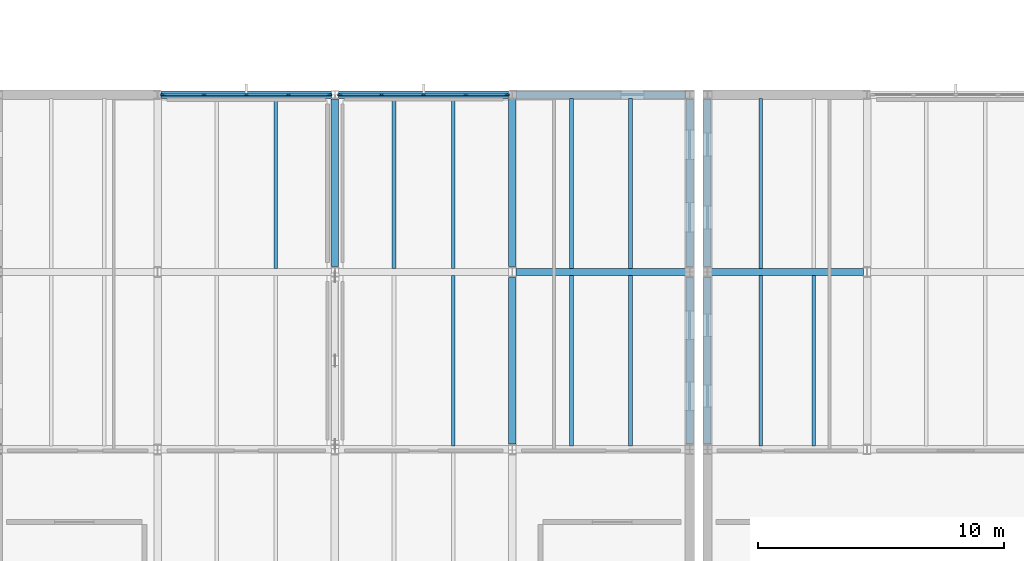
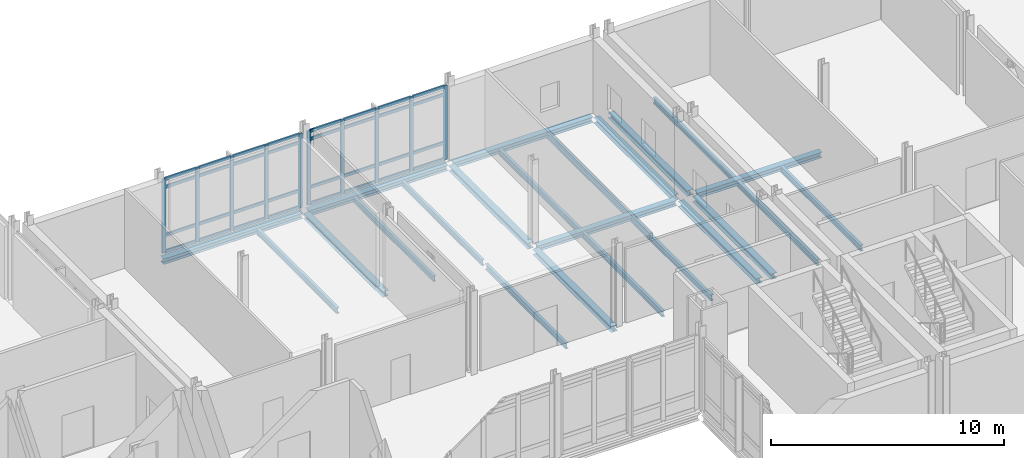
# One storey, part 16 of 76: 42 members, 23 beams, 2 elements without a shape of their own.
"""IFC4 building model written with IfcOpenShell, lengths in metres."""

from ifc_helpers import new_model, si_unit, direction, frame, origin, origin_2d, place, context, subcontext, project, spatial, rectangle, i_section, extrude, material, layer, layer_set, material_profile, profile_set, type_object, element, aggregate, save


model = new_model("IFC4")

# Units and contexts
model_context = context("Model", 3, precision=1e-05, world=origin(), true_north=direction((0.0, 1.0)))
body_context = subcontext(model_context, "Body", "Model", "MODEL_VIEW")
ifc_project = project(units=[si_unit("LENGTHUNIT", "METRE"), si_unit("AREAUNIT", "SQUARE_METRE"), si_unit("VOLUMEUNIT", "CUBIC_METRE"), si_unit("PLANEANGLEUNIT", "RADIAN"), si_unit("MASSUNIT", "GRAM", prefix="KILO")], contexts=[model_context])

# Site, building, storey
site_placement = place(None, origin())
site = spatial("IfcSite", under=ifc_project, at=site_placement, CompositionType="ELEMENT")
building_placement = place(site_placement, origin())
building = spatial("IfcBuilding", under=site, at=building_placement, Name="Zarrinpeak Specialist Clinic", CompositionType="ELEMENT")
storey_placement = place(building_placement, frame((0.0, 0.0, 5.199951171875)))
storey = spatial("IfcBuildingStorey", under=building, at=storey_placement, Name="L01", CompositionType="ELEMENT", Elevation=5.199951171875)

# Beams
ifc_material_1 = material(Name="Steel S355", Category="steel")
ifc_material_profile_1 = material_profile(ifc_material_1, i_section(OverallWidth=0.300048828125, OverallDepth=0.2900390625, WebThickness=0.008544921875, FlangeThickness=0.013916015625, FilletRadius=0.027099609375, at=origin_2d()), Name="HEA 300")
ifc_profile_set_1 = profile_set([ifc_material_profile_1], Name="Steel S355")
beam_type_1 = type_object("IfcBeamType", Name="BM-HEA300", PredefinedType="BEAM", material=ifc_profile_set_1)
beam_1_placement = place(storey_placement, frame((50.548095703125, 21.60009765625, -0.375), z_axis=(1.0, 0.0, 0.0), x_axis=(0.0, 1.0, 0.0)))
element("IfcBeam", 1, at=beam_1_placement, inside=storey, type_object=beam_type_1, Name="L01 Primary Floor Girder BM-L01-X0746", PredefinedType="BEAM", context=body_context, shape_type="SweptSolid", body=[
    extrude(i_section(OverallWidth=0.300048828125, OverallDepth=0.2900390625, WebThickness=0.008544921875, FlangeThickness=0.013916015625, FilletRadius=0.027099609375, at=origin_2d()), origin(), (0.0, 0.0, 1.0), 6.90380859375),
])
beam_2_placement = place(storey_placement, frame((58.468017578125, 21.60009765625, -0.375), z_axis=(1.0, 0.0, 0.0), x_axis=(0.0, 1.0, 0.0)))
element("IfcBeam", 2, at=beam_2_placement, inside=storey, type_object=beam_type_1, Name="L01 Primary Floor Girder BM-L01-X0747", PredefinedType="BEAM", context=body_context, shape_type="SweptSolid", body=[
    extrude(i_section(OverallWidth=0.300048828125, OverallDepth=0.2900390625, WebThickness=0.008544921875, FlangeThickness=0.013916015625, FilletRadius=0.027099609375, at=origin_2d()), origin(), (0.0, 0.0, 1.0), 6.18408203125),
])
for number, where, z_axis, x_axis, name in (
    (3, (36.14794921875, 28.800048828125, -0.375), (1.0, 0.0, 0.0), (0.0, 1.0, 0.0), "L01 Primary Floor Girder BM-L01-X0756"),
    (4, (43.347900390625, 28.800048828125, -0.375), (1.0, 0.0, 0.0), (0.0, 1.0, 0.0), "L01 Primary Floor Girder BM-L01-X0757"),
):
    element("IfcBeam", number, at=place(storey_placement, frame(where, z_axis=z_axis, x_axis=x_axis)), inside=storey, type_object=beam_type_1, Name=name, PredefinedType="BEAM", context=body_context, shape_type="SweptSolid", body=[
        extrude(i_section(OverallWidth=0.300048828125, OverallDepth=0.2900390625, WebThickness=0.008544921875, FlangeThickness=0.013916015625, FilletRadius=0.027099609375, at=origin_2d()), origin(), (0.0, 0.0, 1.0), 6.904052734375),
    ])
beam_3_placement = place(storey_placement, frame((50.548095703125, 28.800048828125, -0.375), z_axis=(1.0, 0.0, 0.0), x_axis=(0.0, 1.0, 0.0)))
element("IfcBeam", 5, at=beam_3_placement, inside=storey, type_object=beam_type_1, Name="L01 Primary Floor Girder BM-L01-X0758", PredefinedType="BEAM", context=body_context, shape_type="SweptSolid", body=[
    extrude(i_section(OverallWidth=0.300048828125, OverallDepth=0.2900390625, WebThickness=0.008544921875, FlangeThickness=0.013916015625, FilletRadius=0.027099609375, at=origin_2d()), origin(), (0.0, 0.0, 1.0), 6.90380859375),
])
beam_4_placement = place(storey_placement, frame((43.199951171875, 21.822998046875, -0.375), z_axis=(0.0, 1.0, 0.0), x_axis=(-1.0, 0.0, 0.0)))
element("IfcBeam", 6, at=beam_4_placement, inside=storey, type_object=beam_type_1, Name="L01 Primary Beam BM-L01-Y0892", PredefinedType="BEAM", context=body_context, shape_type="SweptSolid", body=[
    extrude(i_section(OverallWidth=0.300048828125, OverallDepth=0.2900390625, WebThickness=0.008544921875, FlangeThickness=0.013916015625, FilletRadius=0.027099609375, at=origin_2d()), origin(), (0.0, 0.0, 1.0), 6.799072265625),
])
beam_5_placement = place(storey_placement, frame((50.39990234375, 14.623046875, -0.375), z_axis=(0.0, 1.0, 0.0), x_axis=(-1.0, 0.0, 0.0)))
element("IfcBeam", 7, at=beam_5_placement, inside=storey, type_object=beam_type_1, Name="L01 Primary Beam BM-L01-Y0900", PredefinedType="BEAM", context=body_context, shape_type="SweptSolid", body=[
    extrude(i_section(OverallWidth=0.300048828125, OverallDepth=0.2900390625, WebThickness=0.008544921875, FlangeThickness=0.013916015625, FilletRadius=0.027099609375, at=origin_2d()), origin(), (0.0, 0.0, 1.0), 6.75390625),
])
beam_6_placement = place(storey_placement, frame((50.39990234375, 21.822998046875, -0.375), z_axis=(0.0, 1.0, 0.0), x_axis=(-1.0, 0.0, 0.0)))
element("IfcBeam", 8, at=beam_6_placement, inside=storey, type_object=beam_type_1, Name="L01 Primary Beam BM-L01-Y0901", PredefinedType="BEAM", context=body_context, shape_type="SweptSolid", body=[
    extrude(i_section(OverallWidth=0.300048828125, OverallDepth=0.2900390625, WebThickness=0.008544921875, FlangeThickness=0.013916015625, FilletRadius=0.027099609375, at=origin_2d()), origin(), (0.0, 0.0, 1.0), 6.799072265625),
])
beam_7_placement = place(storey_placement, frame((57.60009765625, 14.623046875, -0.375), z_axis=(0.0, 1.0, 0.0), x_axis=(-1.0, 0.0, 0.0)))
element("IfcBeam", 9, at=beam_7_placement, inside=storey, type_object=beam_type_1, Name="L01 Primary Beam BM-L01-Y0907", PredefinedType="BEAM", context=body_context, shape_type="SweptSolid", body=[
    extrude(i_section(OverallWidth=0.300048828125, OverallDepth=0.2900390625, WebThickness=0.008544921875, FlangeThickness=0.013916015625, FilletRadius=0.027099609375, at=origin_2d()), origin(), (0.0, 0.0, 1.0), 6.75390625),
])
beam_8_placement = place(storey_placement, frame((57.60009765625, 21.822998046875, -0.375), z_axis=(0.0, 1.0, 0.0), x_axis=(-1.0, 0.0, 0.0)))
element("IfcBeam", 10, at=beam_8_placement, inside=storey, type_object=beam_type_1, Name="L01 Primary Beam BM-L01-Y0908", PredefinedType="BEAM", context=body_context, shape_type="SweptSolid", body=[
    extrude(i_section(OverallWidth=0.300048828125, OverallDepth=0.2900390625, WebThickness=0.008544921875, FlangeThickness=0.013916015625, FilletRadius=0.027099609375, at=origin_2d()), origin(), (0.0, 0.0, 1.0), 6.799072265625),
])
beam_9_placement = place(storey_placement, frame((58.320068359375, 14.623046875, -0.375), z_axis=(0.0, 1.0, 0.0), x_axis=(-1.0, 0.0, 0.0)))
element("IfcBeam", 11, at=beam_9_placement, inside=storey, type_object=beam_type_1, Name="L01 Primary Beam BM-L01-Y0914", PredefinedType="BEAM", context=body_context, shape_type="SweptSolid", body=[
    extrude(i_section(OverallWidth=0.300048828125, OverallDepth=0.2900390625, WebThickness=0.008544921875, FlangeThickness=0.013916015625, FilletRadius=0.027099609375, at=origin_2d()), origin(), (0.0, 0.0, 1.0), 6.75390625),
])
beam_10_placement = place(storey_placement, frame((58.320068359375, 21.822998046875, -0.375), z_axis=(0.0, 1.0, 0.0), x_axis=(-1.0, 0.0, 0.0)))
element("IfcBeam", 12, at=beam_10_placement, inside=storey, type_object=beam_type_1, Name="L01 Primary Beam BM-L01-Y0915", PredefinedType="BEAM", context=body_context, shape_type="SweptSolid", body=[
    extrude(i_section(OverallWidth=0.300048828125, OverallDepth=0.2900390625, WebThickness=0.008544921875, FlangeThickness=0.013916015625, FilletRadius=0.027099609375, at=origin_2d()), origin(), (0.0, 0.0, 1.0), 6.799072265625),
])
ifc_material_profile_2 = material_profile(ifc_material_1, i_section(OverallWidth=0.14990234375, OverallDepth=0.300048828125, WebThickness=0.007080078125, FlangeThickness=0.0107421875, FilletRadius=0.014892578125, at=origin_2d()), Name="IPE 300")
ifc_profile_set_2 = profile_set([ifc_material_profile_2], Name="Steel S355")
beam_type_2 = type_object("IfcBeamType", Name="BM-JST300", PredefinedType="JOIST", material=ifc_profile_set_2)
beam_11_placement = place(storey_placement, frame((40.800048828125, 21.748046875, -0.3798828125), z_axis=(0.0, 1.0, 0.0), x_axis=(-1.0, 0.0, 0.0)))
element("IfcBeam", 13, at=beam_11_placement, inside=storey, type_object=beam_type_2, Name="L01 Composite Floor Joist JST-L01-0998", PredefinedType="JOIST", context=body_context, shape_type="SweptSolid", body=[
    extrude(i_section(OverallWidth=0.14990234375, OverallDepth=0.300048828125, WebThickness=0.007080078125, FlangeThickness=0.0107421875, FilletRadius=0.014892578125, at=origin_2d()), origin(), (0.0, 0.0, 1.0), 6.904052734375),
])
beam_12_placement = place(storey_placement, frame((48.0, 14.548095703125, -0.3798828125), z_axis=(0.0, 1.0, 0.0), x_axis=(-1.0, 0.0, 0.0)))
element("IfcBeam", 14, at=beam_12_placement, inside=storey, type_object=beam_type_2, Name="L01 Composite Floor Joist JST-L01-1002", PredefinedType="JOIST", context=body_context, shape_type="SweptSolid", body=[
    extrude(i_section(OverallWidth=0.14990234375, OverallDepth=0.300048828125, WebThickness=0.007080078125, FlangeThickness=0.0107421875, FilletRadius=0.014892578125, at=origin_2d()), origin(), (0.0, 0.0, 1.0), 6.90380859375),
])
for number, where, z_axis, x_axis, name in (
    (15, (45.60009765625, 21.748046875, -0.3798828125), (0.0, 1.0, 0.0), (-1.0, 0.0, 0.0), "L01 Composite Floor Joist JST-L01-1003"),
    (16, (48.0, 21.748046875, -0.3798828125), (0.0, 1.0, 0.0), (-1.0, 0.0, 0.0), "L01 Composite Floor Joist JST-L01-1004"),
):
    element("IfcBeam", number, at=place(storey_placement, frame(where, z_axis=z_axis, x_axis=x_axis)), inside=storey, type_object=beam_type_2, Name=name, PredefinedType="JOIST", context=body_context, shape_type="SweptSolid", body=[
        extrude(i_section(OverallWidth=0.14990234375, OverallDepth=0.300048828125, WebThickness=0.007080078125, FlangeThickness=0.0107421875, FilletRadius=0.014892578125, at=origin_2d()), origin(), (0.0, 0.0, 1.0), 6.904052734375),
    ])
for number, where, z_axis, x_axis, name in (
    (17, (52.800048828125, 14.548095703125, -0.3798828125), (0.0, 1.0, 0.0), (-1.0, 0.0, 0.0), "L01 Composite Floor Joist JST-L01-1005"),
    (18, (55.199951171875, 14.548095703125, -0.3798828125), (0.0, 1.0, 0.0), (-1.0, 0.0, 0.0), "L01 Composite Floor Joist JST-L01-1006"),
):
    element("IfcBeam", number, at=place(storey_placement, frame(where, z_axis=z_axis, x_axis=x_axis)), inside=storey, type_object=beam_type_2, Name=name, PredefinedType="JOIST", context=body_context, shape_type="SweptSolid", body=[
        extrude(i_section(OverallWidth=0.14990234375, OverallDepth=0.300048828125, WebThickness=0.007080078125, FlangeThickness=0.0107421875, FilletRadius=0.014892578125, at=origin_2d()), origin(), (0.0, 0.0, 1.0), 6.90380859375),
    ])
for number, where, z_axis, x_axis, name in (
    (19, (52.800048828125, 21.748046875, -0.3798828125), (0.0, 1.0, 0.0), (-1.0, 0.0, 0.0), "L01 Composite Floor Joist JST-L01-1007"),
    (20, (55.199951171875, 21.748046875, -0.3798828125), (0.0, 1.0, 0.0), (-1.0, 0.0, 0.0), "L01 Composite Floor Joist JST-L01-1008"),
):
    element("IfcBeam", number, at=place(storey_placement, frame(where, z_axis=z_axis, x_axis=x_axis)), inside=storey, type_object=beam_type_2, Name=name, PredefinedType="JOIST", context=body_context, shape_type="SweptSolid", body=[
        extrude(i_section(OverallWidth=0.14990234375, OverallDepth=0.300048828125, WebThickness=0.007080078125, FlangeThickness=0.0107421875, FilletRadius=0.014892578125, at=origin_2d()), origin(), (0.0, 0.0, 1.0), 6.904052734375),
    ])
for number, where, z_axis, x_axis, name in (
    (21, (60.47998046875, 14.548095703125, -0.3798828125), (0.0, 1.0, 0.0), (-1.0, 0.0, 0.0), "L01 Composite Floor Joist JST-L01-1009"),
    (22, (62.639892578125, 14.548095703125, -0.3798828125), (0.0, 1.0, 0.0), (-1.0, 0.0, 0.0), "L01 Composite Floor Joist JST-L01-1010"),
):
    element("IfcBeam", number, at=place(storey_placement, frame(where, z_axis=z_axis, x_axis=x_axis)), inside=storey, type_object=beam_type_2, Name=name, PredefinedType="JOIST", context=body_context, shape_type="SweptSolid", body=[
        extrude(i_section(OverallWidth=0.14990234375, OverallDepth=0.300048828125, WebThickness=0.007080078125, FlangeThickness=0.0107421875, FilletRadius=0.014892578125, at=origin_2d()), origin(), (0.0, 0.0, 1.0), 6.90380859375),
    ])
beam_13_placement = place(storey_placement, frame((60.47998046875, 21.748046875, -0.3798828125), z_axis=(0.0, 1.0, 0.0), x_axis=(-1.0, 0.0, 0.0)))
element("IfcBeam", 23, at=beam_13_placement, inside=storey, type_object=beam_type_2, Name="L01 Composite Floor Joist JST-L01-1011", PredefinedType="JOIST", context=body_context, shape_type="SweptSolid", body=[
    extrude(i_section(OverallWidth=0.14990234375, OverallDepth=0.300048828125, WebThickness=0.007080078125, FlangeThickness=0.0107421875, FilletRadius=0.014892578125, at=origin_2d()), origin(), (0.0, 0.0, 1.0), 6.904052734375),
])

# Curtain wall, members
ifc_material_2 = material(Name="Anodised Aluminium Alloy 6063-T6", Category="aluminium")
ifc_layer = layer(ifc_material_2, 0.179931640625)
ifc_layer_set = layer_set([ifc_layer], Name="Anodised Aluminium Alloy 6063-T6")
curtain_wall_type = type_object("IfcCurtainWallType", Name="CW-COURT", PredefinedType="NOTDEFINED", material=ifc_layer_set)
curtain_wall_1_placement = place(storey_placement, origin())
curtain_wall_1 = element("IfcCurtainWall", 24, at=curtain_wall_1_placement, inside=storey, type_object=curtain_wall_type, Name="L01 V2 Unitised Curtain Wall CW-L01-V2-049", PredefinedType="NOTDEFINED")
ifc_material_profile_3 = material_profile(ifc_material_2, rectangle(XDim=0.074951171875, YDim=0.179931640625, at=origin_2d()), Name="ALU 75x180")
ifc_profile_set_3 = profile_set([ifc_material_profile_3], Name="Anodised Aluminium Alloy 6063-T6")
member_type_1 = type_object("IfcMemberType", Name="CWM-75", PredefinedType="MULLION", material=ifc_profile_set_3)
member_1_placement = place(storey_placement, frame((42.987548828125, 28.800048828125, 0.0), z_axis=(0.0, 0.0, 1.0), x_axis=(0.0, -1.0, 0.0)))
member_1 = element("IfcMember", 25, at=member_1_placement, type_object=member_type_1, Name="CW-01 mullion 1", PredefinedType="MULLION", context=body_context, shape_type="SweptSolid", body=[
    extrude(rectangle(XDim=0.074951171875, YDim=0.179931640625, at=origin_2d()), origin(), (0.0, 0.0, 1.0), 3.880126953125),
])
member_2_placement = place(storey_placement, frame((41.3125, 28.800048828125, 0.0), z_axis=(0.0, 0.0, 1.0), x_axis=(0.0, -1.0, 0.0)))
member_2 = element("IfcMember", 26, at=member_2_placement, type_object=member_type_1, Name="CW-01 mullion 2", PredefinedType="MULLION", context=body_context, shape_type="SweptSolid", body=[
    extrude(rectangle(XDim=0.074951171875, YDim=0.179931640625, at=origin_2d()), origin(), (0.0, 0.0, 1.0), 3.880126953125),
])
member_3_placement = place(storey_placement, frame((39.60009765625, 28.800048828125, 0.0), z_axis=(0.0, 0.0, 1.0), x_axis=(0.0, -1.0, 0.0)))
member_3 = element("IfcMember", 27, at=member_3_placement, type_object=member_type_1, Name="CW-01 mullion 3", PredefinedType="MULLION", context=body_context, shape_type="SweptSolid", body=[
    extrude(rectangle(XDim=0.074951171875, YDim=0.179931640625, at=origin_2d()), origin(), (0.0, 0.0, 1.0), 3.880126953125),
])
member_4_placement = place(storey_placement, frame((37.887451171875, 28.800048828125, 0.0), z_axis=(0.0, 0.0, 1.0), x_axis=(0.0, -1.0, 0.0)))
member_4 = element("IfcMember", 28, at=member_4_placement, type_object=member_type_1, Name="CW-01 mullion 4", PredefinedType="MULLION", context=body_context, shape_type="SweptSolid", body=[
    extrude(rectangle(XDim=0.074951171875, YDim=0.179931640625, at=origin_2d()), origin(), (0.0, 0.0, 1.0), 3.880126953125),
])
member_5_placement = place(storey_placement, frame((36.21240234375, 28.800048828125, 0.0), z_axis=(0.0, 0.0, 1.0), x_axis=(0.0, -1.0, 0.0)))
member_5 = element("IfcMember", 29, at=member_5_placement, type_object=member_type_1, Name="CW-01 mullion 5", PredefinedType="MULLION", context=body_context, shape_type="SweptSolid", body=[
    extrude(rectangle(XDim=0.074951171875, YDim=0.179931640625, at=origin_2d()), origin(), (0.0, 0.0, 1.0), 3.880126953125),
])

curtain_wall_2_placement = place(storey_placement, origin())
curtain_wall_2 = element("IfcCurtainWall", 30, at=curtain_wall_2_placement, inside=storey, type_object=curtain_wall_type, Name="L01 V2 Unitised Curtain Wall CW-L01-V2-050", PredefinedType="NOTDEFINED")
member_6_placement = place(storey_placement, frame((50.1875, 28.800048828125, 0.0), z_axis=(0.0, 0.0, 1.0), x_axis=(0.0, -1.0, 0.0)))
member_6 = element("IfcMember", 31, at=member_6_placement, type_object=member_type_1, Name="CW-01 mullion 1", PredefinedType="MULLION", context=body_context, shape_type="SweptSolid", body=[
    extrude(rectangle(XDim=0.074951171875, YDim=0.179931640625, at=origin_2d()), origin(), (0.0, 0.0, 1.0), 3.880126953125),
])
member_7_placement = place(storey_placement, frame((48.512451171875, 28.800048828125, 0.0), z_axis=(0.0, 0.0, 1.0), x_axis=(0.0, -1.0, 0.0)))
member_7 = element("IfcMember", 32, at=member_7_placement, type_object=member_type_1, Name="CW-01 mullion 2", PredefinedType="MULLION", context=body_context, shape_type="SweptSolid", body=[
    extrude(rectangle(XDim=0.074951171875, YDim=0.179931640625, at=origin_2d()), origin(), (0.0, 0.0, 1.0), 3.880126953125),
])
member_8_placement = place(storey_placement, frame((46.800048828125, 28.800048828125, 0.0), z_axis=(0.0, 0.0, 1.0), x_axis=(0.0, -1.0, 0.0)))
member_8 = element("IfcMember", 33, at=member_8_placement, type_object=member_type_1, Name="CW-01 mullion 3", PredefinedType="MULLION", context=body_context, shape_type="SweptSolid", body=[
    extrude(rectangle(XDim=0.074951171875, YDim=0.179931640625, at=origin_2d()), origin(), (0.0, 0.0, 1.0), 3.880126953125),
])
member_9_placement = place(storey_placement, frame((45.08740234375, 28.800048828125, 0.0), z_axis=(0.0, 0.0, 1.0), x_axis=(0.0, -1.0, 0.0)))
member_9 = element("IfcMember", 34, at=member_9_placement, type_object=member_type_1, Name="CW-01 mullion 4", PredefinedType="MULLION", context=body_context, shape_type="SweptSolid", body=[
    extrude(rectangle(XDim=0.074951171875, YDim=0.179931640625, at=origin_2d()), origin(), (0.0, 0.0, 1.0), 3.880126953125),
])
member_10_placement = place(storey_placement, frame((43.41259765625, 28.800048828125, 0.0), z_axis=(0.0, 0.0, 1.0), x_axis=(0.0, -1.0, 0.0)))
member_10 = element("IfcMember", 35, at=member_10_placement, type_object=member_type_1, Name="CW-01 mullion 5", PredefinedType="MULLION", context=body_context, shape_type="SweptSolid", body=[
    extrude(rectangle(XDim=0.074951171875, YDim=0.179931640625, at=origin_2d()), origin(), (0.0, 0.0, 1.0), 3.880126953125),
])

# Member
ifc_material_profile_4 = material_profile(ifc_material_2, rectangle(XDim=0.074951171875, YDim=0.159912109375, at=origin_2d()), Name="ALU 75x160")
ifc_profile_set_4 = profile_set([ifc_material_profile_4], Name="Anodised Aluminium Alloy 6063-T6")
member_type_2 = type_object("IfcMemberType", Name="CWT-75", PredefinedType="USERDEFINED", material=ifc_profile_set_4)
member_11_placement = place(storey_placement, frame((42.949951171875, 28.800048828125, 0.03759765625), z_axis=(-1.0, 0.0, 0.0), x_axis=(0.0, -1.0, 0.0)))
member_11 = element("IfcMember", 36, at=member_11_placement, type_object=member_type_2, Name="CW-01 transom 1.1", ObjectType="TRANSOM", PredefinedType="USERDEFINED", context=body_context, shape_type="SweptSolid", body=[
    extrude(rectangle(XDim=0.074951171875, YDim=0.159912109375, at=origin_2d()), origin(), (0.0, 0.0, 1.0), 1.599853515625),
])

member_12_placement = place(storey_placement, frame((42.949951171875, 28.800048828125, 0.900146484375), z_axis=(-1.0, 0.0, 0.0), x_axis=(0.0, -1.0, 0.0)))
member_12 = element("IfcMember", 37, at=member_12_placement, type_object=member_type_2, Name="CW-01 transom 1.2", ObjectType="TRANSOM", PredefinedType="USERDEFINED", context=body_context, shape_type="SweptSolid", body=[
    extrude(rectangle(XDim=0.074951171875, YDim=0.159912109375, at=origin_2d()), origin(), (0.0, 0.0, 1.0), 1.599853515625),
])

member_13_placement = place(storey_placement, frame((42.949951171875, 28.800048828125, 3.429931640625), z_axis=(-1.0, 0.0, 0.0), x_axis=(0.0, -1.0, 0.0)))
member_13 = element("IfcMember", 38, at=member_13_placement, type_object=member_type_2, Name="CW-01 transom 1.3", ObjectType="TRANSOM", PredefinedType="USERDEFINED", context=body_context, shape_type="SweptSolid", body=[
    extrude(rectangle(XDim=0.074951171875, YDim=0.159912109375, at=origin_2d()), origin(), (0.0, 0.0, 1.0), 1.599853515625),
])

member_14_placement = place(storey_placement, frame((42.949951171875, 28.800048828125, 3.842529296875), z_axis=(-1.0, 0.0, 0.0), x_axis=(0.0, -1.0, 0.0)))
member_14 = element("IfcMember", 39, at=member_14_placement, type_object=member_type_2, Name="CW-01 transom 1.4", ObjectType="TRANSOM", PredefinedType="USERDEFINED", context=body_context, shape_type="SweptSolid", body=[
    extrude(rectangle(XDim=0.074951171875, YDim=0.159912109375, at=origin_2d()), origin(), (0.0, 0.0, 1.0), 1.599853515625),
])

member_15_placement = place(storey_placement, frame((41.27490234375, 28.800048828125, 0.03759765625), z_axis=(-1.0, 0.0, 0.0), x_axis=(0.0, -1.0, 0.0)))
member_15 = element("IfcMember", 40, at=member_15_placement, type_object=member_type_2, Name="CW-01 transom 2.1", ObjectType="TRANSOM", PredefinedType="USERDEFINED", context=body_context, shape_type="SweptSolid", body=[
    extrude(rectangle(XDim=0.074951171875, YDim=0.159912109375, at=origin_2d()), origin(), (0.0, 0.0, 1.0), 1.637451171875),
])

member_16_placement = place(storey_placement, frame((41.27490234375, 28.800048828125, 0.900146484375), z_axis=(-1.0, 0.0, 0.0), x_axis=(0.0, -1.0, 0.0)))
member_16 = element("IfcMember", 41, at=member_16_placement, type_object=member_type_2, Name="CW-01 transom 2.2", ObjectType="TRANSOM", PredefinedType="USERDEFINED", context=body_context, shape_type="SweptSolid", body=[
    extrude(rectangle(XDim=0.074951171875, YDim=0.159912109375, at=origin_2d()), origin(), (0.0, 0.0, 1.0), 1.637451171875),
])

member_17_placement = place(storey_placement, frame((41.27490234375, 28.800048828125, 3.429931640625), z_axis=(-1.0, 0.0, 0.0), x_axis=(0.0, -1.0, 0.0)))
member_17 = element("IfcMember", 42, at=member_17_placement, type_object=member_type_2, Name="CW-01 transom 2.3", ObjectType="TRANSOM", PredefinedType="USERDEFINED", context=body_context, shape_type="SweptSolid", body=[
    extrude(rectangle(XDim=0.074951171875, YDim=0.159912109375, at=origin_2d()), origin(), (0.0, 0.0, 1.0), 1.637451171875),
])

member_18_placement = place(storey_placement, frame((41.27490234375, 28.800048828125, 3.842529296875), z_axis=(-1.0, 0.0, 0.0), x_axis=(0.0, -1.0, 0.0)))
member_18 = element("IfcMember", 43, at=member_18_placement, type_object=member_type_2, Name="CW-01 transom 2.4", ObjectType="TRANSOM", PredefinedType="USERDEFINED", context=body_context, shape_type="SweptSolid", body=[
    extrude(rectangle(XDim=0.074951171875, YDim=0.159912109375, at=origin_2d()), origin(), (0.0, 0.0, 1.0), 1.637451171875),
])

member_19_placement = place(storey_placement, frame((39.5625, 28.800048828125, 0.03759765625), z_axis=(-1.0, 0.0, 0.0), x_axis=(0.0, -1.0, 0.0)))
member_19 = element("IfcMember", 44, at=member_19_placement, type_object=member_type_2, Name="CW-01 transom 3.1", ObjectType="TRANSOM", PredefinedType="USERDEFINED", context=body_context, shape_type="SweptSolid", body=[
    extrude(rectangle(XDim=0.074951171875, YDim=0.159912109375, at=origin_2d()), origin(), (0.0, 0.0, 1.0), 1.637451171875),
])

member_20_placement = place(storey_placement, frame((39.5625, 28.800048828125, 0.900146484375), z_axis=(-1.0, 0.0, 0.0), x_axis=(0.0, -1.0, 0.0)))
member_20 = element("IfcMember", 45, at=member_20_placement, type_object=member_type_2, Name="CW-01 transom 3.2", ObjectType="TRANSOM", PredefinedType="USERDEFINED", context=body_context, shape_type="SweptSolid", body=[
    extrude(rectangle(XDim=0.074951171875, YDim=0.159912109375, at=origin_2d()), origin(), (0.0, 0.0, 1.0), 1.637451171875),
])

member_21_placement = place(storey_placement, frame((39.5625, 28.800048828125, 3.429931640625), z_axis=(-1.0, 0.0, 0.0), x_axis=(0.0, -1.0, 0.0)))
member_21 = element("IfcMember", 46, at=member_21_placement, type_object=member_type_2, Name="CW-01 transom 3.3", ObjectType="TRANSOM", PredefinedType="USERDEFINED", context=body_context, shape_type="SweptSolid", body=[
    extrude(rectangle(XDim=0.074951171875, YDim=0.159912109375, at=origin_2d()), origin(), (0.0, 0.0, 1.0), 1.637451171875),
])

member_22_placement = place(storey_placement, frame((39.5625, 28.800048828125, 3.842529296875), z_axis=(-1.0, 0.0, 0.0), x_axis=(0.0, -1.0, 0.0)))
member_22 = element("IfcMember", 47, at=member_22_placement, type_object=member_type_2, Name="CW-01 transom 3.4", ObjectType="TRANSOM", PredefinedType="USERDEFINED", context=body_context, shape_type="SweptSolid", body=[
    extrude(rectangle(XDim=0.074951171875, YDim=0.159912109375, at=origin_2d()), origin(), (0.0, 0.0, 1.0), 1.637451171875),
])

member_23_placement = place(storey_placement, frame((37.85009765625, 28.800048828125, 0.03759765625), z_axis=(-1.0, 0.0, 0.0), x_axis=(0.0, -1.0, 0.0)))
member_23 = element("IfcMember", 48, at=member_23_placement, type_object=member_type_2, Name="CW-01 transom 4.1", ObjectType="TRANSOM", PredefinedType="USERDEFINED", context=body_context, shape_type="SweptSolid", body=[
    extrude(rectangle(XDim=0.074951171875, YDim=0.159912109375, at=origin_2d()), origin(), (0.0, 0.0, 1.0), 1.60009765625),
])

member_24_placement = place(storey_placement, frame((37.85009765625, 28.800048828125, 0.900146484375), z_axis=(-1.0, 0.0, 0.0), x_axis=(0.0, -1.0, 0.0)))
member_24 = element("IfcMember", 49, at=member_24_placement, type_object=member_type_2, Name="CW-01 transom 4.2", ObjectType="TRANSOM", PredefinedType="USERDEFINED", context=body_context, shape_type="SweptSolid", body=[
    extrude(rectangle(XDim=0.074951171875, YDim=0.159912109375, at=origin_2d()), origin(), (0.0, 0.0, 1.0), 1.60009765625),
])

member_25_placement = place(storey_placement, frame((37.85009765625, 28.800048828125, 3.429931640625), z_axis=(-1.0, 0.0, 0.0), x_axis=(0.0, -1.0, 0.0)))
member_25 = element("IfcMember", 50, at=member_25_placement, type_object=member_type_2, Name="CW-01 transom 4.3", ObjectType="TRANSOM", PredefinedType="USERDEFINED", context=body_context, shape_type="SweptSolid", body=[
    extrude(rectangle(XDim=0.074951171875, YDim=0.159912109375, at=origin_2d()), origin(), (0.0, 0.0, 1.0), 1.60009765625),
])

member_26_placement = place(storey_placement, frame((37.85009765625, 28.800048828125, 3.842529296875), z_axis=(-1.0, 0.0, 0.0), x_axis=(0.0, -1.0, 0.0)))
member_26 = element("IfcMember", 51, at=member_26_placement, type_object=member_type_2, Name="CW-01 transom 4.4", ObjectType="TRANSOM", PredefinedType="USERDEFINED", context=body_context, shape_type="SweptSolid", body=[
    extrude(rectangle(XDim=0.074951171875, YDim=0.159912109375, at=origin_2d()), origin(), (0.0, 0.0, 1.0), 1.60009765625),
])

aggregate(curtain_wall_1, [member_1, member_2, member_3, member_4, member_5, member_11, member_12, member_13, member_14, member_15, member_16, member_17, member_18, member_19, member_20, member_21, member_22, member_23, member_24, member_25, member_26])

member_27_placement = place(storey_placement, frame((50.14990234375, 28.800048828125, 0.03759765625), z_axis=(-1.0, 0.0, 0.0), x_axis=(0.0, -1.0, 0.0)))
member_27 = element("IfcMember", 52, at=member_27_placement, type_object=member_type_2, Name="CW-01 transom 1.1", ObjectType="TRANSOM", PredefinedType="USERDEFINED", context=body_context, shape_type="SweptSolid", body=[
    extrude(rectangle(XDim=0.074951171875, YDim=0.159912109375, at=origin_2d()), origin(), (0.0, 0.0, 1.0), 1.599853515625),
])

member_28_placement = place(storey_placement, frame((50.14990234375, 28.800048828125, 0.900146484375), z_axis=(-1.0, 0.0, 0.0), x_axis=(0.0, -1.0, 0.0)))
member_28 = element("IfcMember", 53, at=member_28_placement, type_object=member_type_2, Name="CW-01 transom 1.2", ObjectType="TRANSOM", PredefinedType="USERDEFINED", context=body_context, shape_type="SweptSolid", body=[
    extrude(rectangle(XDim=0.074951171875, YDim=0.159912109375, at=origin_2d()), origin(), (0.0, 0.0, 1.0), 1.599853515625),
])

member_29_placement = place(storey_placement, frame((50.14990234375, 28.800048828125, 3.429931640625), z_axis=(-1.0, 0.0, 0.0), x_axis=(0.0, -1.0, 0.0)))
member_29 = element("IfcMember", 54, at=member_29_placement, type_object=member_type_2, Name="CW-01 transom 1.3", ObjectType="TRANSOM", PredefinedType="USERDEFINED", context=body_context, shape_type="SweptSolid", body=[
    extrude(rectangle(XDim=0.074951171875, YDim=0.159912109375, at=origin_2d()), origin(), (0.0, 0.0, 1.0), 1.599853515625),
])

member_30_placement = place(storey_placement, frame((50.14990234375, 28.800048828125, 3.842529296875), z_axis=(-1.0, 0.0, 0.0), x_axis=(0.0, -1.0, 0.0)))
member_30 = element("IfcMember", 55, at=member_30_placement, type_object=member_type_2, Name="CW-01 transom 1.4", ObjectType="TRANSOM", PredefinedType="USERDEFINED", context=body_context, shape_type="SweptSolid", body=[
    extrude(rectangle(XDim=0.074951171875, YDim=0.159912109375, at=origin_2d()), origin(), (0.0, 0.0, 1.0), 1.599853515625),
])

member_31_placement = place(storey_placement, frame((48.47509765625, 28.800048828125, 0.03759765625), z_axis=(-1.0, 0.0, 0.0), x_axis=(0.0, -1.0, 0.0)))
member_31 = element("IfcMember", 56, at=member_31_placement, type_object=member_type_2, Name="CW-01 transom 2.1", ObjectType="TRANSOM", PredefinedType="USERDEFINED", context=body_context, shape_type="SweptSolid", body=[
    extrude(rectangle(XDim=0.074951171875, YDim=0.159912109375, at=origin_2d()), origin(), (0.0, 0.0, 1.0), 1.6376953125),
])

member_32_placement = place(storey_placement, frame((48.47509765625, 28.800048828125, 0.900146484375), z_axis=(-1.0, 0.0, 0.0), x_axis=(0.0, -1.0, 0.0)))
member_32 = element("IfcMember", 57, at=member_32_placement, type_object=member_type_2, Name="CW-01 transom 2.2", ObjectType="TRANSOM", PredefinedType="USERDEFINED", context=body_context, shape_type="SweptSolid", body=[
    extrude(rectangle(XDim=0.074951171875, YDim=0.159912109375, at=origin_2d()), origin(), (0.0, 0.0, 1.0), 1.6376953125),
])

member_33_placement = place(storey_placement, frame((48.47509765625, 28.800048828125, 3.429931640625), z_axis=(-1.0, 0.0, 0.0), x_axis=(0.0, -1.0, 0.0)))
member_33 = element("IfcMember", 58, at=member_33_placement, type_object=member_type_2, Name="CW-01 transom 2.3", ObjectType="TRANSOM", PredefinedType="USERDEFINED", context=body_context, shape_type="SweptSolid", body=[
    extrude(rectangle(XDim=0.074951171875, YDim=0.159912109375, at=origin_2d()), origin(), (0.0, 0.0, 1.0), 1.6376953125),
])

member_34_placement = place(storey_placement, frame((48.47509765625, 28.800048828125, 3.842529296875), z_axis=(-1.0, 0.0, 0.0), x_axis=(0.0, -1.0, 0.0)))
member_34 = element("IfcMember", 59, at=member_34_placement, type_object=member_type_2, Name="CW-01 transom 2.4", ObjectType="TRANSOM", PredefinedType="USERDEFINED", context=body_context, shape_type="SweptSolid", body=[
    extrude(rectangle(XDim=0.074951171875, YDim=0.159912109375, at=origin_2d()), origin(), (0.0, 0.0, 1.0), 1.6376953125),
])

member_35_placement = place(storey_placement, frame((46.762451171875, 28.800048828125, 0.03759765625), z_axis=(-1.0, 0.0, 0.0), x_axis=(0.0, -1.0, 0.0)))
member_35 = element("IfcMember", 60, at=member_35_placement, type_object=member_type_2, Name="CW-01 transom 3.1", ObjectType="TRANSOM", PredefinedType="USERDEFINED", context=body_context, shape_type="SweptSolid", body=[
    extrude(rectangle(XDim=0.074951171875, YDim=0.159912109375, at=origin_2d()), origin(), (0.0, 0.0, 1.0), 1.637451171875),
])

member_36_placement = place(storey_placement, frame((46.762451171875, 28.800048828125, 0.900146484375), z_axis=(-1.0, 0.0, 0.0), x_axis=(0.0, -1.0, 0.0)))
member_36 = element("IfcMember", 61, at=member_36_placement, type_object=member_type_2, Name="CW-01 transom 3.2", ObjectType="TRANSOM", PredefinedType="USERDEFINED", context=body_context, shape_type="SweptSolid", body=[
    extrude(rectangle(XDim=0.074951171875, YDim=0.159912109375, at=origin_2d()), origin(), (0.0, 0.0, 1.0), 1.637451171875),
])

member_37_placement = place(storey_placement, frame((46.762451171875, 28.800048828125, 3.429931640625), z_axis=(-1.0, 0.0, 0.0), x_axis=(0.0, -1.0, 0.0)))
member_37 = element("IfcMember", 62, at=member_37_placement, type_object=member_type_2, Name="CW-01 transom 3.3", ObjectType="TRANSOM", PredefinedType="USERDEFINED", context=body_context, shape_type="SweptSolid", body=[
    extrude(rectangle(XDim=0.074951171875, YDim=0.159912109375, at=origin_2d()), origin(), (0.0, 0.0, 1.0), 1.637451171875),
])

member_38_placement = place(storey_placement, frame((46.762451171875, 28.800048828125, 3.842529296875), z_axis=(-1.0, 0.0, 0.0), x_axis=(0.0, -1.0, 0.0)))
member_38 = element("IfcMember", 63, at=member_38_placement, type_object=member_type_2, Name="CW-01 transom 3.4", ObjectType="TRANSOM", PredefinedType="USERDEFINED", context=body_context, shape_type="SweptSolid", body=[
    extrude(rectangle(XDim=0.074951171875, YDim=0.159912109375, at=origin_2d()), origin(), (0.0, 0.0, 1.0), 1.637451171875),
])

member_39_placement = place(storey_placement, frame((45.050048828125, 28.800048828125, 0.03759765625), z_axis=(-1.0, 0.0, 0.0), x_axis=(0.0, -1.0, 0.0)))
member_39 = element("IfcMember", 64, at=member_39_placement, type_object=member_type_2, Name="CW-01 transom 4.1", ObjectType="TRANSOM", PredefinedType="USERDEFINED", context=body_context, shape_type="SweptSolid", body=[
    extrude(rectangle(XDim=0.074951171875, YDim=0.159912109375, at=origin_2d()), origin(), (0.0, 0.0, 1.0), 1.60009765625),
])

member_40_placement = place(storey_placement, frame((45.050048828125, 28.800048828125, 0.900146484375), z_axis=(-1.0, 0.0, 0.0), x_axis=(0.0, -1.0, 0.0)))
member_40 = element("IfcMember", 65, at=member_40_placement, type_object=member_type_2, Name="CW-01 transom 4.2", ObjectType="TRANSOM", PredefinedType="USERDEFINED", context=body_context, shape_type="SweptSolid", body=[
    extrude(rectangle(XDim=0.074951171875, YDim=0.159912109375, at=origin_2d()), origin(), (0.0, 0.0, 1.0), 1.60009765625),
])

member_41_placement = place(storey_placement, frame((45.050048828125, 28.800048828125, 3.429931640625), z_axis=(-1.0, 0.0, 0.0), x_axis=(0.0, -1.0, 0.0)))
member_41 = element("IfcMember", 66, at=member_41_placement, type_object=member_type_2, Name="CW-01 transom 4.3", ObjectType="TRANSOM", PredefinedType="USERDEFINED", context=body_context, shape_type="SweptSolid", body=[
    extrude(rectangle(XDim=0.074951171875, YDim=0.159912109375, at=origin_2d()), origin(), (0.0, 0.0, 1.0), 1.60009765625),
])

member_42_placement = place(storey_placement, frame((45.050048828125, 28.800048828125, 3.842529296875), z_axis=(-1.0, 0.0, 0.0), x_axis=(0.0, -1.0, 0.0)))
member_42 = element("IfcMember", 67, at=member_42_placement, type_object=member_type_2, Name="CW-01 transom 4.4", ObjectType="TRANSOM", PredefinedType="USERDEFINED", context=body_context, shape_type="SweptSolid", body=[
    extrude(rectangle(XDim=0.074951171875, YDim=0.159912109375, at=origin_2d()), origin(), (0.0, 0.0, 1.0), 1.60009765625),
])

aggregate(curtain_wall_2, [member_6, member_7, member_8, member_9, member_10, member_27, member_28, member_29, member_30, member_31, member_32, member_33, member_34, member_35, member_36, member_37, member_38, member_39, member_40, member_41, member_42])

save(model, "model.ifc")
